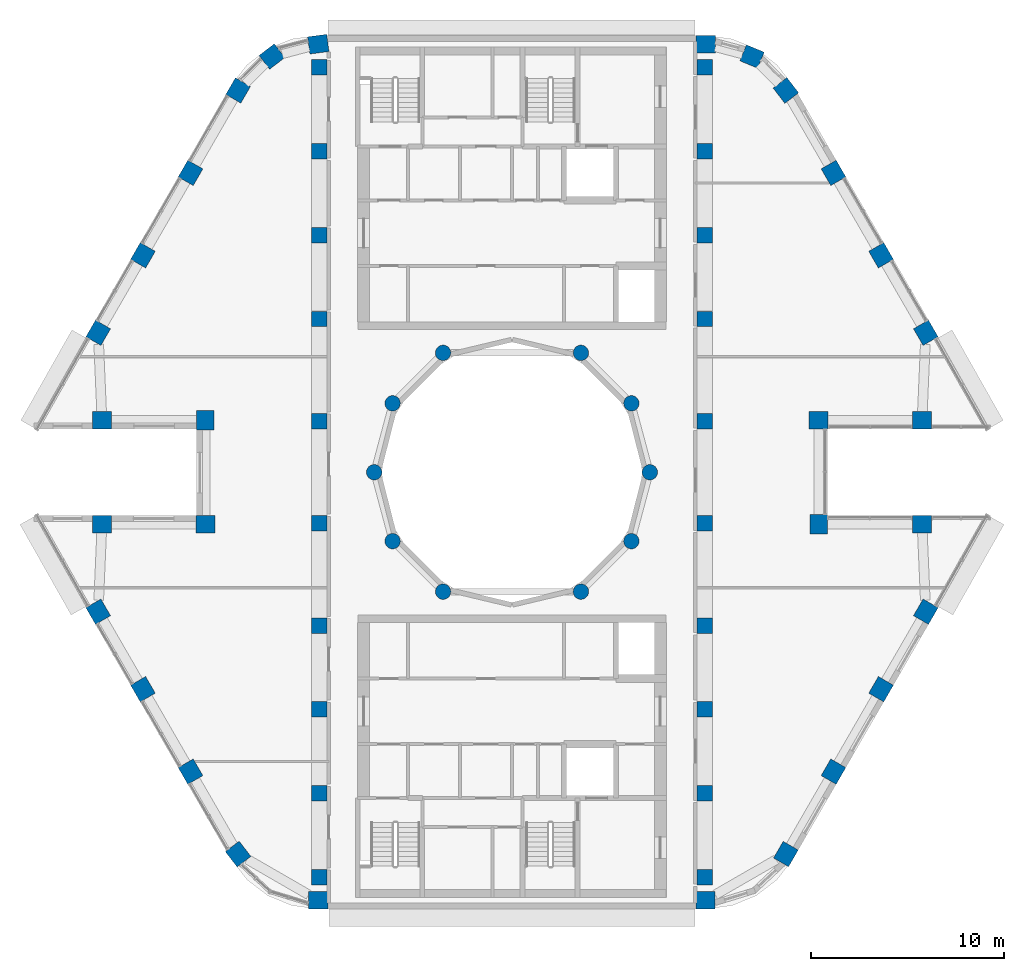
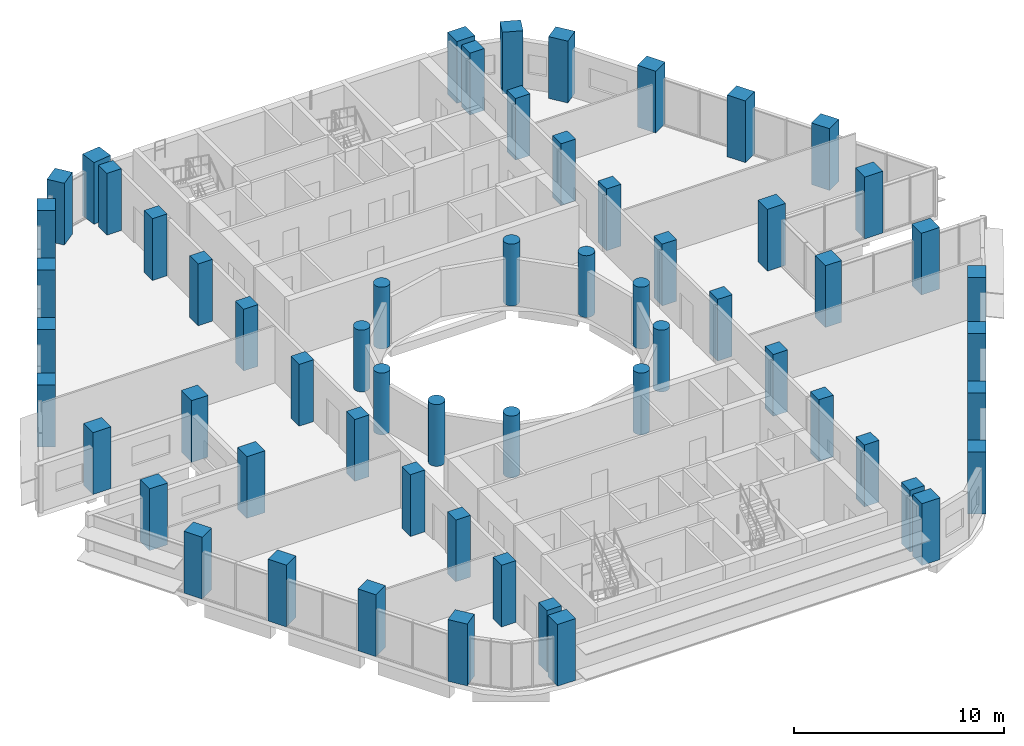
# One storey, part 1 of 16: 60 columns.
"""IFC4 building model written with IfcOpenShell, lengths in metres."""

from ifc_helpers import new_model, si_unit, direction, frame, origin, origin_2d, place, context, subcontext, project, spatial, rectangle, circle, extrude, material, material_profile, profile_set, type_object, element, save


model = new_model("IFC4")

# Units and contexts
model_context = context("Model", 3, precision=1e-05, world=origin(), true_north=direction((0.0, 1.0)))
body_context = subcontext(model_context, "Body", "Model", "MODEL_VIEW")
ifc_project = project(units=[si_unit("LENGTHUNIT", "METRE"), si_unit("AREAUNIT", "SQUARE_METRE"), si_unit("VOLUMEUNIT", "CUBIC_METRE"), si_unit("PLANEANGLEUNIT", "RADIAN"), si_unit("MASSUNIT", "GRAM", prefix="KILO")], contexts=[model_context])

# Site, building, storey
site_placement = place(None, origin())
site = spatial("IfcSite", under=ifc_project, at=site_placement, CompositionType="ELEMENT")
building_placement = place(site_placement, origin())
building = spatial("IfcBuilding", under=site, at=building_placement, Name="Nakaniwa Court", CompositionType="ELEMENT")
storey_placement = place(building_placement, frame((0.0, 0.0, 272.39990234375)))
storey = spatial("IfcBuildingStorey", under=building, at=storey_placement, Name="C01", CompositionType="ELEMENT", Elevation=272.39990234375)

# Columns
ifc_material = material(Name="Concrete C80/100", Category="concrete")
ifc_material_profile_1 = material_profile(ifc_material, rectangle(XDim=1.0, YDim=0.89990234375, at=origin_2d()), Name="Concrete C80/100 RC 1000x900 perimeter column")
ifc_profile_set_1 = profile_set([ifc_material_profile_1], Name="Concrete C80/100")
column_type_1 = type_object("IfcColumnType", Name="Concrete C80/100 RC 1000x900 perimeter column", PredefinedType="COLUMN", material=ifc_profile_set_1)
for number, where, z_axis, x_axis, name in (
    (1, (69.95458984375, 102.199951171875, 0.0), (0.0, 0.0, 1.0), (-0.991442583111, -0.130543496177, 0.0), "COLUMN CO-01"),
    (2, (67.552001953125, 101.560302734375, 0.0), (0.0, 0.0, 1.0), (-0.793363965062, -0.608747582288, 0.0), "COLUMN CO-02"),
    (3, (65.796875, 99.799560546875, 0.0), (0.0, 0.0, 1.0), (-0.5, -0.866025403784, 0.0), "COLUMN CO-03"),
    (4, (63.328857421875, 95.524658203125, 0.0), (0.0, 0.0, 1.0), (-0.5, -0.866025403784, 0.0), "COLUMN CO-04"),
    (5, (60.860595703125, 91.249755859375, 0.0), (0.0, 0.0, 1.0), (-0.5, -0.866025403784, 0.0), "COLUMN CO-05"),
    (6, (58.541015625, 87.232177734375, 0.0), (0.0, 0.0, 1.0), (-0.5, -0.866025403784, 0.0), "COLUMN CO-06"),
    (7, (58.736083984375, 82.699951171875, 0.0), (0.0, 0.0, 1.0), (1.0, 0.0, 0.0), "COLUMN CO-08"),
    (8, (64.1005859375, 82.699951171875, 0.0), (0.0, 0.0, 1.0), (0.0, -1.0, 0.0), "COLUMN CO-09"),
    (9, (64.1005859375, 77.300048828125, 0.0), (0.0, 0.0, 1.0), (-1.0, 0.0, 0.0), "COLUMN CO-10"),
    (10, (58.736083984375, 77.300048828125, 0.0), (0.0, 0.0, 1.0), (-1.0, 0.0, 0.0), "COLUMN CO-11"),
    (11, (58.541015625, 72.767822265625, 0.0), (0.0, 0.0, 1.0), (0.5, -0.866025403784, 0.0), "COLUMN CO-13"),
    (12, (60.860595703125, 68.750244140625, 0.0), (0.0, 0.0, 1.0), (0.5, -0.866025403784, 0.0), "COLUMN CO-14"),
    (13, (63.328857421875, 64.475341796875, 0.0), (0.0, 0.0, 1.0), (0.5, -0.866025403784, 0.0), "COLUMN CO-15"),
    (14, (65.796875, 60.200439453125, 0.0), (0.0, 0.0, 1.0), (0.608761429009, -0.793353340291, 0.0), "COLUMN CO-16"),
    (15, (69.95458984375, 57.800048828125, 0.0), (0.0, 0.0, 1.0), (1.0, 0.0, 0.0), "COLUMN CO-17"),
    (16, (90.03955078125, 57.800048828125, 0.0), (0.0, 0.0, 1.0), (1.0, 0.0, 0.0), "COLUMN CO-21"),
    (17, (94.203125, 60.200439453125, 0.0), (0.0, 0.0, 1.0), (0.5, 0.866025403784, 0.0), "COLUMN CO-22"),
    (18, (96.671142578125, 64.475341796875, 0.0), (0.0, 0.0, 1.0), (0.5, 0.866025403784, 0.0), "COLUMN CO-23"),
    (19, (99.139404296875, 68.750244140625, 0.0), (0.0, 0.0, 1.0), (0.5, 0.866025403784, 0.0), "COLUMN CO-24"),
    (20, (101.458984375, 72.767822265625, 0.0), (0.0, 0.0, 1.0), (0.5, 0.866025403784, 0.0), "COLUMN CO-25"),
    (21, (101.263916015625, 77.300048828125, 0.0), (0.0, 0.0, 1.0), (-1.0, 0.0, 0.0), "COLUMN CO-27"),
    (22, (95.8994140625, 77.300048828125, 0.0), (0.0, 0.0, 1.0), (0.0, 1.0, 0.0), "COLUMN CO-28"),
    (23, (95.8994140625, 82.699951171875, 0.0), (0.0, 0.0, 1.0), (1.0, 0.0, 0.0), "COLUMN CO-29"),
    (24, (101.263916015625, 82.699951171875, 0.0), (0.0, 0.0, 1.0), (1.0, 0.0, 0.0), "COLUMN CO-30"),
    (25, (101.458984375, 87.232177734375, 0.0), (0.0, 0.0, 1.0), (-0.5, 0.866025403784, 0.0), "COLUMN CO-32"),
    (26, (99.139404296875, 91.249755859375, 0.0), (0.0, 0.0, 1.0), (-0.5, 0.866025403784, 0.0), "COLUMN CO-33"),
    (27, (96.671142578125, 95.524658203125, 0.0), (0.0, 0.0, 1.0), (-0.5, 0.866025403784, 0.0), "COLUMN CO-34"),
    (28, (94.203125, 99.799560546875, 0.0), (0.0, 0.0, 1.0), (-0.608761429009, 0.793353340291, 0.0), "COLUMN CO-35"),
    (29, (92.447998046875, 101.560302734375, 0.0), (0.0, 0.0, 1.0), (-0.923879532511, 0.382683432365, 0.0), "COLUMN CO-36"),
    (30, (90.04541015625, 102.199951171875, 0.0), (0.0, 0.0, 1.0), (-1.0, 0.0, 0.0), "COLUMN CO-37"),
):
    element("IfcColumn", number, at=place(storey_placement, frame(where, z_axis=z_axis, x_axis=x_axis)), inside=storey, type_object=column_type_1, Name=name, PredefinedType="COLUMN", context=body_context, shape_type="SweptSolid", body=[
        extrude(rectangle(XDim=1.0, YDim=0.89990234375, at=origin_2d()), origin(), (0.0, 0.0, 1.0), 3.60009765625),
    ])
ifc_material_profile_2 = material_profile(ifc_material, rectangle(XDim=0.800048828125, YDim=0.800048828125, at=origin_2d()), Name="Concrete C80/100 RC 800x800 spine column")
ifc_profile_set_2 = profile_set([ifc_material_profile_2], Name="Concrete C80/100")
column_type_2 = type_object("IfcColumnType", Name="Concrete C80/100 RC 800x800 spine column", PredefinedType="COLUMN", material=ifc_profile_set_2)
for number, where, z_axis, x_axis, name in (
    (31, (90.0, 59.0, 0.0), (0.0, 0.0, 1.0), (0.0, 1.0, 0.0), "COLUMN CS-01"),
    (32, (90.0, 63.35009765625, 0.0), (0.0, 0.0, 1.0), (0.0, 1.0, 0.0), "COLUMN CS-02"),
    (33, (90.0, 67.699951171875, 0.0), (0.0, 0.0, 1.0), (0.0, 1.0, 0.0), "COLUMN CS-03"),
    (34, (90.0, 72.050048828125, 0.0), (0.0, 0.0, 1.0), (0.0, 1.0, 0.0), "COLUMN CS-04"),
    (35, (90.0, 77.35009765625, 0.0), (0.0, 0.0, 1.0), (0.0, 1.0, 0.0), "COLUMN CS-05"),
    (36, (90.0, 82.64990234375, 0.0), (0.0, 0.0, 1.0), (0.0, 1.0, 0.0), "COLUMN CS-06"),
    (37, (90.0, 87.949951171875, 0.0), (0.0, 0.0, 1.0), (0.0, 1.0, 0.0), "COLUMN CS-07"),
    (38, (90.0, 92.300048828125, 0.0), (0.0, 0.0, 1.0), (0.0, 1.0, 0.0), "COLUMN CS-08"),
    (39, (90.0, 96.64990234375, 0.0), (0.0, 0.0, 1.0), (0.0, 1.0, 0.0), "COLUMN CS-09"),
    (40, (90.0, 101.0, 0.0), (0.0, 0.0, 1.0), (0.0, 1.0, 0.0), "COLUMN CS-10"),
    (41, (70.0, 101.0, 0.0), (0.0, 0.0, 1.0), (0.0, -1.0, 0.0), "COLUMN CS-11"),
    (42, (70.0, 96.64990234375, 0.0), (0.0, 0.0, 1.0), (0.0, -1.0, 0.0), "COLUMN CS-12"),
    (43, (70.0, 92.300048828125, 0.0), (0.0, 0.0, 1.0), (0.0, -1.0, 0.0), "COLUMN CS-13"),
    (44, (70.0, 87.949951171875, 0.0), (0.0, 0.0, 1.0), (0.0, -1.0, 0.0), "COLUMN CS-14"),
    (45, (70.0, 82.64990234375, 0.0), (0.0, 0.0, 1.0), (0.0, -1.0, 0.0), "COLUMN CS-15"),
    (46, (70.0, 77.35009765625, 0.0), (0.0, 0.0, 1.0), (0.0, -1.0, 0.0), "COLUMN CS-16"),
    (47, (70.0, 72.050048828125, 0.0), (0.0, 0.0, 1.0), (0.0, -1.0, 0.0), "COLUMN CS-17"),
    (48, (70.0, 67.699951171875, 0.0), (0.0, 0.0, 1.0), (0.0, -1.0, 0.0), "COLUMN CS-18"),
    (49, (70.0, 63.35009765625, 0.0), (0.0, 0.0, 1.0), (0.0, -1.0, 0.0), "COLUMN CS-19"),
    (50, (70.0, 59.0, 0.0), (0.0, 0.0, 1.0), (0.0, -1.0, 0.0), "COLUMN CS-20"),
):
    element("IfcColumn", number, at=place(storey_placement, frame(where, z_axis=z_axis, x_axis=x_axis)), inside=storey, type_object=column_type_2, Name=name, PredefinedType="COLUMN", context=body_context, shape_type="SweptSolid", body=[
        extrude(rectangle(XDim=0.800048828125, YDim=0.800048828125, at=origin_2d()), origin(), (0.0, 0.0, 1.0), 3.60009765625),
    ])
ifc_material_profile_3 = material_profile(ifc_material, circle(Radius=0.39990234375, at=origin_2d()), Name="Concrete C80/100 RC D800 inner ring column")
ifc_profile_set_3 = profile_set([ifc_material_profile_3], Name="Concrete C80/100")
column_type_3 = type_object("IfcColumnType", Name="Concrete C80/100 RC D800 inner ring column", PredefinedType="COLUMN", material=ifc_profile_set_3)
for number, where, z_axis, x_axis, name in (
    (51, (87.14990234375, 80.0, 0.0), (0.0, 0.0, 1.0), (0.0, 1.0, 0.0), "COLUMN CI-01"),
    (52, (86.192138671875, 83.574951171875, 0.0), (0.0, 0.0, 1.0), (-0.5, 0.866025403784, 0.0), "COLUMN CI-02"),
    (53, (83.574951171875, 86.192138671875, 0.0), (0.0, 0.0, 1.0), (-0.866025403784, 0.5, 0.0), "COLUMN CI-03"),
    (54, (76.425048828125, 86.192138671875, 0.0), (0.0, 0.0, 1.0), (-0.866025403784, -0.5, 0.0), "COLUMN CI-05"),
    (55, (73.807861328125, 83.574951171875, 0.0), (0.0, 0.0, 1.0), (-0.5, -0.866025403784, 0.0), "COLUMN CI-06"),
    (56, (72.85009765625, 80.0, 0.0), (0.0, 0.0, 1.0), (0.0, -1.0, 0.0), "COLUMN CI-07"),
    (57, (73.807861328125, 76.425048828125, 0.0), (0.0, 0.0, 1.0), (0.5, -0.866025403784, 0.0), "COLUMN CI-08"),
    (58, (76.425048828125, 73.807861328125, 0.0), (0.0, 0.0, 1.0), (0.866025403784, -0.5, 0.0), "COLUMN CI-09"),
    (59, (83.574951171875, 73.807861328125, 0.0), (0.0, 0.0, 1.0), (0.866025403784, 0.5, 0.0), "COLUMN CI-11"),
    (60, (86.192138671875, 76.425048828125, 0.0), (0.0, 0.0, 1.0), (0.5, 0.866025403784, 0.0), "COLUMN CI-12"),
):
    element("IfcColumn", number, at=place(storey_placement, frame(where, z_axis=z_axis, x_axis=x_axis)), inside=storey, type_object=column_type_3, Name=name, PredefinedType="COLUMN", context=body_context, shape_type="SweptSolid", body=[
        extrude(circle(Radius=0.39990234375, at=origin_2d()), origin(), (0.0, 0.0, 1.0), 3.60009765625),
    ])

save(model, "model.ifc")
